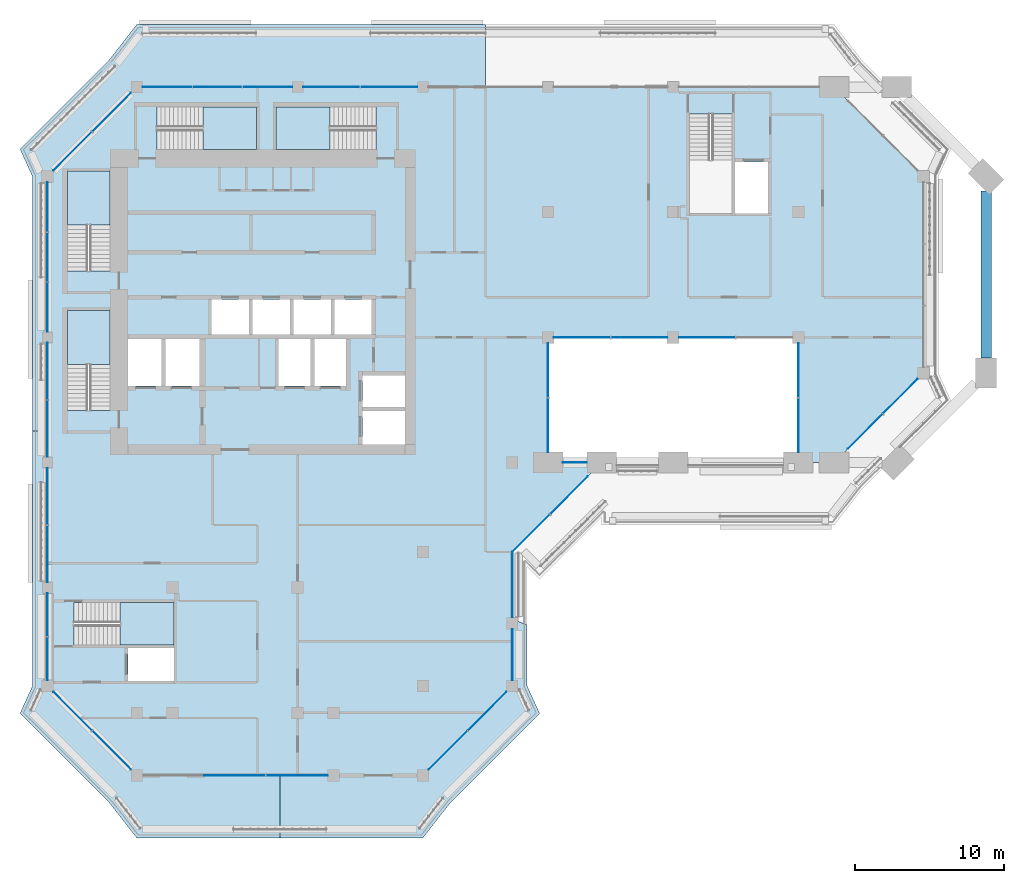
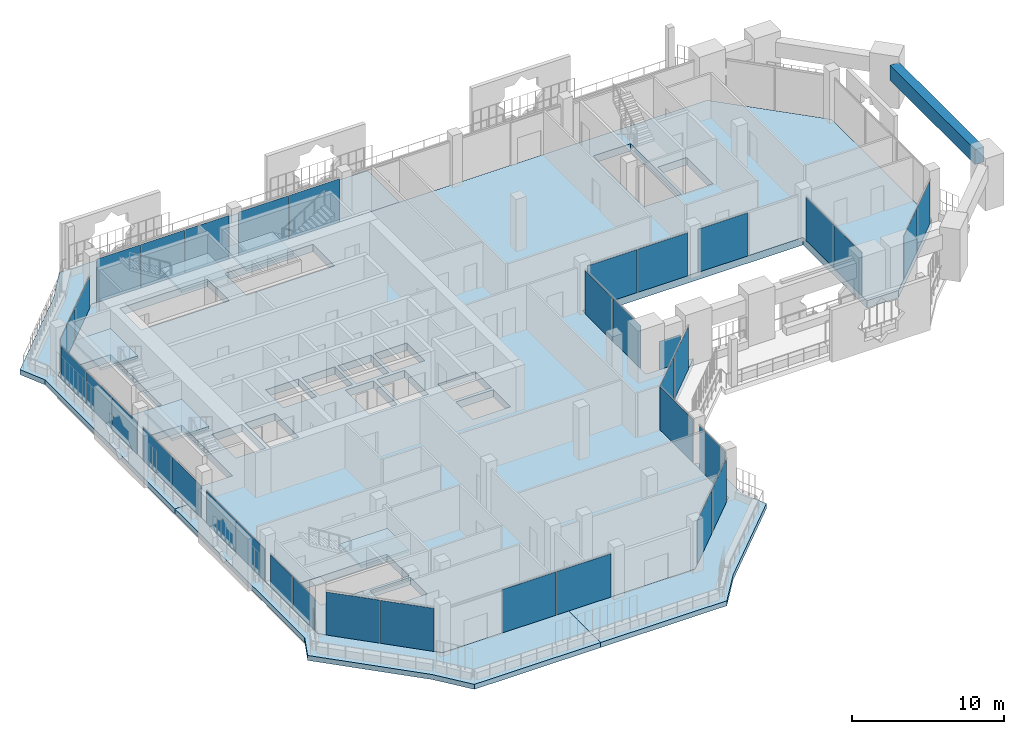
# One storey, part 8 of 22: 36 plates, 9 slabs, 1 beam, 18 elements without a shape of their own.
"""IFC4 building model written with IfcOpenShell, lengths in metres."""

from ifc_helpers import new_model, si_unit, direction, frame, origin, origin_2d, place, context, subcontext, project, spatial, polyline, rectangle, outline, extrude, material, layer, layer_set, material_profile, profile_set, type_object, element, aggregate, save


model = new_model("IFC4")

# Units and contexts
model_context = context("Model", 3, precision=1e-05, world=origin(), true_north=direction((0.0, 1.0)))
body_context = subcontext(model_context, "Body", "Model", "MODEL_VIEW")
ifc_project = project(units=[si_unit("LENGTHUNIT", "METRE"), si_unit("AREAUNIT", "SQUARE_METRE"), si_unit("VOLUMEUNIT", "CUBIC_METRE"), si_unit("PLANEANGLEUNIT", "RADIAN"), si_unit("MASSUNIT", "GRAM", prefix="KILO")], contexts=[model_context])

# Site, building, storey
site_placement = place(None, origin())
site = spatial("IfcSite", under=ifc_project, at=site_placement, CompositionType="ELEMENT")
building_placement = place(site_placement, origin())
building = spatial("IfcBuilding", under=site, at=building_placement, Name="Kawkab Arch Medical Tower", CompositionType="ELEMENT")
storey_placement = place(building_placement, frame((0.0, 0.0, 286.0)))
storey = spatial("IfcBuildingStorey", under=building, at=storey_placement, Name="L66", CompositionType="ELEMENT", Elevation=286.0)

# Beam
ifc_material_1 = material(Name="Concrete C40/50", Category="concrete")
ifc_material_profile = material_profile(ifc_material_1, rectangle(XDim=0.699951171875, YDim=1.199951171875, at=origin_2d()), Name="RC 700x1200")
ifc_profile_set = profile_set([ifc_material_profile], Name="Concrete C40/50")
beam_type = type_object("IfcBeamType", Name="RC 700x1200 beam C40/50", PredefinedType="BEAM", material=ifc_profile_set)
beam_placement = place(storey_placement, frame((63.0, -6.989990234375, 3.0), z_axis=(0.0, -1.0, 0.0), x_axis=(1.0, 0.0, 0.0)))
element("IfcBeam", 1, at=beam_placement, inside=storey, type_object=beam_type, Name="Terrace frame beam TF-L64-2-L67-03", PredefinedType="BEAM", context=body_context, shape_type="SweptSolid", body=[
    extrude(rectangle(XDim=0.699951171875, YDim=1.199951171875, at=origin_2d()), origin(), (0.0, 0.0, 1.0), 11.2099609375),
])

# Curtain wall, plates
ifc_material_2 = material(Name="Bronze anodised aluminium curtain wall frame", Category="aluminium")
ifc_layer_1 = layer(ifc_material_2, 0.159912109375)
ifc_layer_set_1 = layer_set([ifc_layer_1], Name="Bronze anodised aluminium curtain wall frame")
curtain_wall_type_1 = type_object("IfcCurtainWallType", Name="CW1 ward curtain wall", PredefinedType="NOTDEFINED", material=ifc_layer_set_1)
placement_1 = place(storey_placement, origin())
curtain_wall_1 = element("IfcCurtainWall", 2, at=placement_1, inside=storey, type_object=curtain_wall_type_1, Name="CW1 Ward curtain wall R10", PredefinedType="NOTDEFINED")
ifc_material_3 = material(Name="Tinted insulating glass, bronze low-e coating", Category="glass")
ifc_layer_2 = layer(ifc_material_3, 0.031982421875)
ifc_layer_set_2 = layer_set([ifc_layer_2], Name="Tinted insulating glass, bronze low-e coating")
plate_type_1 = type_object("IfcPlateType", Name="CW1 glazing unit 32", PredefinedType="CURTAIN_PANEL", material=ifc_layer_set_2)
plate_1_placement = place(storey_placement, frame((22.927490234375, 0.0, 0.0), z_axis=(0.0, 0.0, 1.0), x_axis=(-1.0, 0.0, 0.0)))
plate_1 = element("IfcPlate", 3, at=plate_1_placement, type_object=plate_type_1, Name="CW1 glazing unit 4.1", PredefinedType="CURTAIN_PANEL", context=body_context, shape_type="SweptSolid", body=[
    extrude(rectangle(XDim=3.794921875, YDim=0.031982421875, at=origin_2d()), origin(), (0.0, 0.0, 1.0), 3.47998046875),
])
plate_2_placement = place(storey_placement, frame((19.072509765625, 0.0, 0.0), z_axis=(0.0, 0.0, 1.0), x_axis=(-1.0, 0.0, 0.0)))
plate_2 = element("IfcPlate", 4, at=plate_2_placement, type_object=plate_type_1, Name="CW1 glazing unit 4.2", PredefinedType="CURTAIN_PANEL", context=body_context, shape_type="SweptSolid", body=[
    extrude(rectangle(XDim=3.794921875, YDim=0.031982421875, at=origin_2d()), origin(), (0.0, 0.0, 1.0), 3.47998046875),
])
plate_3_placement = place(storey_placement, frame((14.769287109375, 0.0, 0.0), z_axis=(0.0, 0.0, 1.0), x_axis=(-1.0, 0.0, 0.0)))
plate_3 = element("IfcPlate", 5, at=plate_3_placement, type_object=plate_type_1, Name="CW1 glazing unit 5.1", PredefinedType="CURTAIN_PANEL", context=body_context, shape_type="SweptSolid", body=[
    extrude(rectangle(XDim=3.311767578125, YDim=0.031982421875, at=origin_2d()), origin(), (0.0, 0.0, 1.0), 3.47998046875),
])
plate_4_placement = place(storey_placement, frame((11.41259765625, 0.0, 0.0), z_axis=(0.0, 0.0, 1.0), x_axis=(-1.0, 0.0, 0.0)))
plate_4 = element("IfcPlate", 6, at=plate_4_placement, type_object=plate_type_1, Name="CW1 glazing unit 5.2", PredefinedType="CURTAIN_PANEL", context=body_context, shape_type="SweptSolid", body=[
    extrude(rectangle(XDim=3.28173828125, YDim=0.031982421875, at=origin_2d()), origin(), (0.0, 0.0, 1.0), 3.47998046875),
])
plate_5_placement = place(storey_placement, frame((8.055908203125, 0.0, 0.0), z_axis=(0.0, 0.0, 1.0), x_axis=(-1.0, 0.0, 0.0)))
plate_5 = element("IfcPlate", 7, at=plate_5_placement, type_object=plate_type_1, Name="CW1 glazing unit 5.3", PredefinedType="CURTAIN_PANEL", context=body_context, shape_type="SweptSolid", body=[
    extrude(rectangle(XDim=3.311767578125, YDim=0.031982421875, at=origin_2d()), origin(), (0.0, 0.0, 1.0), 3.47998046875),
])
aggregate(curtain_wall_1, [plate_1, plate_2, plate_3, plate_4, plate_5])

curtain_wall_2 = element("IfcCurtainWall", 8, at=placement_1, inside=storey, type_object=curtain_wall_type_1, Name="CW1 Ward curtain wall R12", PredefinedType="NOTDEFINED")
plate_6_placement = place(storey_placement, frame((0.0, -8.055908203125, 0.0), z_axis=(0.0, 0.0, 1.0), x_axis=(0.0, -1.0, 0.0)))
plate_6 = element("IfcPlate", 9, at=plate_6_placement, type_object=plate_type_1, Name="CW1 glazing unit 1.1", PredefinedType="CURTAIN_PANEL", context=body_context, shape_type="SweptSolid", body=[
    extrude(rectangle(XDim=3.311767578125, YDim=0.031982421875, at=origin_2d()), origin(), (0.0, 0.0, 1.0), 2.580078125),
])
plate_7_placement = place(storey_placement, frame((0.0, -11.41259765625, 0.0), z_axis=(0.0, 0.0, 1.0), x_axis=(0.0, -1.0, 0.0)))
plate_7 = element("IfcPlate", 10, at=plate_7_placement, type_object=plate_type_1, Name="CW1 glazing unit 1.2", PredefinedType="CURTAIN_PANEL", context=body_context, shape_type="SweptSolid", body=[
    extrude(rectangle(XDim=3.28173828125, YDim=0.031982421875, at=origin_2d()), origin(), (0.0, 0.0, 1.0), 2.580078125),
])
plate_8_placement = place(storey_placement, frame((0.0, -14.769287109375, 0.0), z_axis=(0.0, 0.0, 1.0), x_axis=(0.0, -1.0, 0.0)))
plate_8 = element("IfcPlate", 11, at=plate_8_placement, type_object=plate_type_1, Name="CW1 glazing unit 1.3", PredefinedType="CURTAIN_PANEL", context=body_context, shape_type="SweptSolid", body=[
    extrude(rectangle(XDim=3.311767578125, YDim=0.031982421875, at=origin_2d()), origin(), (0.0, 0.0, 1.0), 2.580078125),
])
plate_9_placement = place(storey_placement, frame((0.0, -19.072509765625, 0.0), z_axis=(0.0, 0.0, 1.0), x_axis=(0.0, -1.0, 0.0)))
plate_9 = element("IfcPlate", 12, at=plate_9_placement, type_object=plate_type_1, Name="CW1 glazing unit 2.1", PredefinedType="CURTAIN_PANEL", context=body_context, shape_type="SweptSolid", body=[
    extrude(rectangle(XDim=3.794921875, YDim=0.031982421875, at=origin_2d()), origin(), (0.0, 0.0, 1.0), 2.580078125),
])
plate_10_placement = place(storey_placement, frame((0.0, -22.927490234375, 0.0), z_axis=(0.0, 0.0, 1.0), x_axis=(0.0, -1.0, 0.0)))
plate_10 = element("IfcPlate", 13, at=plate_10_placement, type_object=plate_type_1, Name="CW1 glazing unit 2.2", PredefinedType="CURTAIN_PANEL", context=body_context, shape_type="SweptSolid", body=[
    extrude(rectangle(XDim=3.794921875, YDim=0.031982421875, at=origin_2d()), origin(), (0.0, 0.0, 1.0), 2.580078125),
])
plate_11_placement = place(storey_placement, frame((0.0, -27.472412109375, 0.0), z_axis=(0.0, 0.0, 1.0), x_axis=(0.0, -1.0, 0.0)))
plate_11 = element("IfcPlate", 14, at=plate_11_placement, type_object=plate_type_1, Name="CW1 glazing unit 3.1", PredefinedType="CURTAIN_PANEL", context=body_context, shape_type="SweptSolid", body=[
    extrude(rectangle(XDim=3.794921875, YDim=0.031982421875, at=origin_2d()), origin(), (0.0, 0.0, 1.0), 2.580078125),
])
plate_12_placement = place(storey_placement, frame((0.0, -31.327392578125, 0.0), z_axis=(0.0, 0.0, 1.0), x_axis=(0.0, -1.0, 0.0)))
plate_12 = element("IfcPlate", 15, at=plate_12_placement, type_object=plate_type_1, Name="CW1 glazing unit 3.2", PredefinedType="CURTAIN_PANEL", context=body_context, shape_type="SweptSolid", body=[
    extrude(rectangle(XDim=3.794921875, YDim=0.031982421875, at=origin_2d()), origin(), (0.0, 0.0, 1.0), 2.580078125),
])
plate_13_placement = place(storey_placement, frame((0.0, -35.416259765625, 0.0), z_axis=(0.0, 0.0, 1.0), x_axis=(0.0, -1.0, 0.0)))
plate_13 = element("IfcPlate", 16, at=plate_13_placement, type_object=plate_type_1, Name="CW1 glazing unit 4.1", PredefinedType="CURTAIN_PANEL", context=body_context, shape_type="SweptSolid", body=[
    extrude(rectangle(XDim=2.882568359375, YDim=0.031982421875, at=origin_2d()), origin(), (0.0, 0.0, 1.0), 2.580078125),
])
plate_14_placement = place(storey_placement, frame((0.0, -38.358642578125, 0.0), z_axis=(0.0, 0.0, 1.0), x_axis=(0.0, -1.0, 0.0)))
plate_14 = element("IfcPlate", 17, at=plate_14_placement, type_object=plate_type_1, Name="CW1 glazing unit 4.2", PredefinedType="CURTAIN_PANEL", context=body_context, shape_type="SweptSolid", body=[
    extrude(rectangle(XDim=2.882568359375, YDim=0.031982421875, at=origin_2d()), origin(), (0.0, 0.0, 1.0), 2.580078125),
])
aggregate(curtain_wall_2, [plate_6, plate_7, plate_8, plate_9, plate_10, plate_11, plate_12, plate_13, plate_14])

curtain_wall_3 = element("IfcCurtainWall", 18, at=placement_1, inside=storey, type_object=curtain_wall_type_1, Name="CW1 Ward curtain wall R14", PredefinedType="NOTDEFINED")
plate_15_placement = place(storey_placement, frame((12.5849609375, -46.199951171875, 0.0), z_axis=(0.0, 0.0, 1.0), x_axis=(1.0, 0.0, 0.0)))
plate_15 = element("IfcPlate", 19, at=plate_15_placement, type_object=plate_type_1, Name="CW1 glazing unit 1.2", PredefinedType="CURTAIN_PANEL", context=body_context, shape_type="SweptSolid", body=[
    extrude(rectangle(XDim=4.103271484375, YDim=0.031982421875, at=origin_2d()), origin(), (0.0, 0.0, 1.0), 3.47998046875),
])
plate_16_placement = place(storey_placement, frame((16.748291015625, -46.199951171875, 0.0), z_axis=(0.0, 0.0, 1.0), x_axis=(1.0, 0.0, 0.0)))
plate_16 = element("IfcPlate", 20, at=plate_16_placement, type_object=plate_type_1, Name="CW1 glazing unit 1.3", PredefinedType="CURTAIN_PANEL", context=body_context, shape_type="SweptSolid", body=[
    extrude(rectangle(XDim=4.103271484375, YDim=0.031982421875, at=origin_2d()), origin(), (0.0, 0.0, 1.0), 3.47998046875),
])
aggregate(curtain_wall_3, [plate_15, plate_16])

curtain_wall_4 = element("IfcCurtainWall", 21, at=placement_1, inside=storey, type_object=curtain_wall_type_1, Name="CW1 Ward curtain wall R16", PredefinedType="NOTDEFINED")
plate_17_placement = place(storey_placement, frame((31.199951171875, -38.10009765625, 0.0), z_axis=(0.0, 0.0, 1.0), x_axis=(0.0, 1.0, 0.0)))
plate_17 = element("IfcPlate", 22, at=plate_17_placement, type_object=plate_type_1, Name="CW1 glazing unit 1.1", PredefinedType="CURTAIN_PANEL", context=body_context, shape_type="SweptSolid", body=[
    extrude(rectangle(XDim=3.39990234375, YDim=0.031982421875, at=origin_2d()), origin(), (0.0, 0.0, 1.0), 3.47998046875),
])
plate_18_placement = place(storey_placement, frame((31.199951171875, -33.39990234375, 0.0), z_axis=(0.0, 0.0, 1.0), x_axis=(0.0, 1.0, 0.0)))
plate_18 = element("IfcPlate", 23, at=plate_18_placement, type_object=plate_type_1, Name="CW1 glazing unit 2.1", PredefinedType="CURTAIN_PANEL", context=body_context, shape_type="SweptSolid", body=[
    extrude(rectangle(XDim=4.39990234375, YDim=0.031982421875, at=origin_2d()), origin(), (0.0, 0.0, 1.0), 3.47998046875),
])
aggregate(curtain_wall_4, [plate_17, plate_18])

ifc_material_4 = material(Name="Bronze anodised aluminium curtain wall frame", Category="aluminium")
ifc_layer_3 = layer(ifc_material_4, 0.159912109375)
ifc_layer_set_3 = layer_set([ifc_layer_3], Name="Bronze anodised aluminium curtain wall frame")
curtain_wall_type_2 = type_object("IfcCurtainWallType", Name="CW2 chamfer curtain wall", PredefinedType="NOTDEFINED", material=ifc_layer_set_3)
curtain_wall_5 = element("IfcCurtainWall", 24, at=placement_1, inside=storey, type_object=curtain_wall_type_2, Name="CW2 Chamfer curtain wall R01", PredefinedType="NOTDEFINED")
ifc_material_5 = material(Name="Tinted insulating glass, bronze low-e coating", Category="glass")
ifc_layer_4 = layer(ifc_material_5, 0.031982421875)
ifc_layer_set_4 = layer_set([ifc_layer_4], Name="Tinted insulating glass, bronze low-e coating")
plate_type_2 = type_object("IfcPlateType", Name="CW2 glazing unit 32", PredefinedType="CURTAIN_PANEL", material=ifc_layer_set_4)
plate_19_placement = place(storey_placement, frame((32.456787109375, -29.943115234375, 0.0), z_axis=(0.0, 0.0, 1.0), x_axis=(0.707106781187, 0.707106781187, 0.0)))
plate_19 = element("IfcPlate", 25, at=plate_19_placement, type_object=plate_type_2, Name="CW2 glazing unit 1.1", PredefinedType="CURTAIN_PANEL", context=body_context, shape_type="SweptSolid", body=[
    extrude(rectangle(XDim=3.5546875, YDim=0.031982421875, at=origin_2d()), origin(), (0.0, 0.0, 1.0), 3.4599609375),
])
plate_20_placement = place(storey_placement, frame((35.012939453125, -27.38720703125, 0.0), z_axis=(0.0, 0.0, 1.0), x_axis=(0.707106781187, 0.707106781187, 0.0)))
plate_20 = element("IfcPlate", 26, at=plate_20_placement, type_object=plate_type_2, Name="CW2 glazing unit 1.2", PredefinedType="CURTAIN_PANEL", context=body_context, shape_type="SweptSolid", body=[
    extrude(rectangle(XDim=3.5546875, YDim=0.031982421875, at=origin_2d()), origin(), (0.0, 0.0, 1.0), 3.4599609375),
])
aggregate(curtain_wall_5, [plate_19, plate_20])

curtain_wall_6 = element("IfcCurtainWall", 27, at=placement_1, inside=storey, type_object=curtain_wall_type_2, Name="CW2 Chamfer curtain wall R07", PredefinedType="NOTDEFINED")
plate_21_placement = place(storey_placement, frame((54.88720703125, -23.11279296875, 0.0), z_axis=(0.0, 0.0, 1.0), x_axis=(0.707106781187, 0.707106781187, 0.0)))
plate_21 = element("IfcPlate", 28, at=plate_21_placement, type_object=plate_type_2, Name="CW2 glazing unit 1.1", PredefinedType="CURTAIN_PANEL", context=body_context, shape_type="SweptSolid", body=[
    extrude(rectangle(XDim=3.27197265625, YDim=0.031982421875, at=origin_2d()), origin(), (0.0, 0.0, 1.0), 3.4599609375),
])
plate_22_placement = place(storey_placement, frame((57.2431640625, -20.7568359375, 0.0), z_axis=(0.0, 0.0, 1.0), x_axis=(0.707106781187, 0.707106781187, 0.0)))
plate_22 = element("IfcPlate", 29, at=plate_22_placement, type_object=plate_type_2, Name="CW2 glazing unit 1.2", PredefinedType="CURTAIN_PANEL", context=body_context, shape_type="SweptSolid", body=[
    extrude(rectangle(XDim=3.27197265625, YDim=0.031982421875, at=origin_2d()), origin(), (0.0, 0.0, 1.0), 3.4599609375),
])
aggregate(curtain_wall_6, [plate_21, plate_22])

curtain_wall_7 = element("IfcCurtainWall", 30, at=placement_1, inside=storey, type_object=curtain_wall_type_2, Name="CW2 Chamfer curtain wall R11", PredefinedType="NOTDEFINED")
plate_23_placement = place(storey_placement, frame((4.310546875, -1.689453125, 0.0), z_axis=(0.0, 0.0, 1.0), x_axis=(-0.707106781187, -0.707106781187, 0.0)))
plate_23 = element("IfcPlate", 31, at=plate_23_placement, type_object=plate_type_2, Name="CW2 glazing unit 1.1", PredefinedType="CURTAIN_PANEL", context=body_context, shape_type="SweptSolid", body=[
    extrude(rectangle(XDim=3.64697265625, YDim=0.031982421875, at=origin_2d()), origin(), (0.0, 0.0, 1.0), 2.56005859375),
])
plate_24_placement = place(storey_placement, frame((1.689453125, -4.310546875, 0.0), z_axis=(0.0, 0.0, 1.0), x_axis=(-0.707106781187, -0.707106781187, 0.0)))
plate_24 = element("IfcPlate", 32, at=plate_24_placement, type_object=plate_type_2, Name="CW2 glazing unit 1.2", PredefinedType="CURTAIN_PANEL", context=body_context, shape_type="SweptSolid", body=[
    extrude(rectangle(XDim=3.64697265625, YDim=0.031982421875, at=origin_2d()), origin(), (0.0, 0.0, 1.0), 2.56005859375),
])
aggregate(curtain_wall_7, [plate_23, plate_24])

curtain_wall_8 = element("IfcCurtainWall", 33, at=placement_1, inside=storey, type_object=curtain_wall_type_2, Name="CW2 Chamfer curtain wall R13", PredefinedType="NOTDEFINED")
plate_25_placement = place(storey_placement, frame((1.689453125, -41.889404296875, 0.0), z_axis=(0.0, 0.0, 1.0), x_axis=(0.707106781187, -0.707106781187, 0.0)))
plate_25 = element("IfcPlate", 34, at=plate_25_placement, type_object=plate_type_2, Name="CW2 glazing unit 1.1", PredefinedType="CURTAIN_PANEL", context=body_context, shape_type="SweptSolid", body=[
    extrude(rectangle(XDim=3.64697265625, YDim=0.031982421875, at=origin_2d()), origin(), (0.0, 0.0, 1.0), 3.4599609375),
])
plate_26_placement = place(storey_placement, frame((4.310546875, -44.510498046875, 0.0), z_axis=(0.0, 0.0, 1.0), x_axis=(0.707106781187, -0.707106781187, 0.0)))
plate_26 = element("IfcPlate", 35, at=plate_26_placement, type_object=plate_type_2, Name="CW2 glazing unit 1.2", PredefinedType="CURTAIN_PANEL", context=body_context, shape_type="SweptSolid", body=[
    extrude(rectangle(XDim=3.64697265625, YDim=0.031982421875, at=origin_2d()), origin(), (0.0, 0.0, 1.0), 3.4599609375),
])
aggregate(curtain_wall_8, [plate_25, plate_26])

curtain_wall_9 = element("IfcCurtainWall", 36, at=placement_1, inside=storey, type_object=curtain_wall_type_2, Name="CW2 Chamfer curtain wall R15", PredefinedType="NOTDEFINED")
plate_27_placement = place(storey_placement, frame((26.889404296875, -44.510498046875, 0.0), z_axis=(0.0, 0.0, 1.0), x_axis=(0.707106781187, 0.707106781187, 0.0)))
plate_27 = element("IfcPlate", 37, at=plate_27_placement, type_object=plate_type_2, Name="CW2 glazing unit 1.1", PredefinedType="CURTAIN_PANEL", context=body_context, shape_type="SweptSolid", body=[
    extrude(rectangle(XDim=3.64697265625, YDim=0.031982421875, at=origin_2d()), origin(), (0.0, 0.0, 1.0), 3.4599609375),
])
plate_28_placement = place(storey_placement, frame((29.510498046875, -41.889404296875, 0.0), z_axis=(0.0, 0.0, 1.0), x_axis=(0.707106781187, 0.707106781187, 0.0)))
plate_28 = element("IfcPlate", 38, at=plate_28_placement, type_object=plate_type_2, Name="CW2 glazing unit 1.2", PredefinedType="CURTAIN_PANEL", context=body_context, shape_type="SweptSolid", body=[
    extrude(rectangle(XDim=3.64697265625, YDim=0.031982421875, at=origin_2d()), origin(), (0.0, 0.0, 1.0), 3.4599609375),
])
aggregate(curtain_wall_9, [plate_27, plate_28])

# Curtain wall, plate
ifc_material_6 = material(Name="Bronze anodised aluminium curtain wall frame", Category="aluminium")
ifc_layer_5 = layer(ifc_material_6, 0.159912109375)
ifc_layer_set_5 = layer_set([ifc_layer_5], Name="Bronze anodised aluminium curtain wall frame")
curtain_wall_type_3 = type_object("IfcCurtainWallType", Name="CW3 sky garden curtain wall", PredefinedType="NOTDEFINED", material=ifc_layer_set_5)
curtain_wall_10 = element("IfcCurtainWall", 39, at=placement_1, inside=storey, type_object=curtain_wall_type_3, Name="CW3 Sky garden curtain wall R02", PredefinedType="NOTDEFINED")
ifc_material_7 = material(Name="Tinted laminated insulating glass, grey-green", Category="glass")
ifc_layer_6 = layer(ifc_material_7, 0.035888671875)
ifc_layer_set_6 = layer_set([ifc_layer_6], Name="Tinted laminated insulating glass, grey-green")
plate_type_3 = type_object("IfcPlateType", Name="CW3 glazing unit 36", PredefinedType="CURTAIN_PANEL", material=ifc_layer_set_6)
plate_29_placement = place(storey_placement, frame((35.39990234375, -25.199951171875, 0.0), z_axis=(0.0, 0.0, 1.0), x_axis=(-1.0, 0.0, 0.0)))
plate_29 = element("IfcPlate", 40, at=plate_29_placement, type_object=plate_type_3, Name="CW3 glazing unit 1.1", PredefinedType="CURTAIN_PANEL", context=body_context, shape_type="SweptSolid", body=[
    extrude(rectangle(XDim=1.60009765625, YDim=0.035888671875, at=origin_2d()), origin(), (0.0, 0.0, 1.0), 2.260009765625),
])
aggregate(curtain_wall_10, [plate_29])

# Curtain wall, plates
curtain_wall_11 = element("IfcCurtainWall", 41, at=placement_1, inside=storey, type_object=curtain_wall_type_3, Name="CW3 Sky garden curtain wall R03", PredefinedType="NOTDEFINED")
plate_30_placement = place(storey_placement, frame((33.60009765625, -22.6923828125, 0.0), z_axis=(0.0, 0.0, 1.0), x_axis=(0.0, 1.0, 0.0)))
plate_30 = element("IfcPlate", 42, at=plate_30_placement, type_object=plate_type_3, Name="CW3 glazing unit 1.1", PredefinedType="CURTAIN_PANEL", context=body_context, shape_type="SweptSolid", body=[
    extrude(rectangle(XDim=3.614990234375, YDim=0.035888671875, at=origin_2d()), origin(), (0.0, 0.0, 1.0), 3.4599609375),
])
plate_31_placement = place(storey_placement, frame((33.60009765625, -19.007568359375, 0.0), z_axis=(0.0, 0.0, 1.0), x_axis=(0.0, 1.0, 0.0)))
plate_31 = element("IfcPlate", 43, at=plate_31_placement, type_object=plate_type_3, Name="CW3 glazing unit 1.2", PredefinedType="CURTAIN_PANEL", context=body_context, shape_type="SweptSolid", body=[
    extrude(rectangle(XDim=3.614990234375, YDim=0.035888671875, at=origin_2d()), origin(), (0.0, 0.0, 1.0), 3.4599609375),
])
aggregate(curtain_wall_11, [plate_30, plate_31])

curtain_wall_12 = element("IfcCurtainWall", 44, at=placement_1, inside=storey, type_object=curtain_wall_type_3, Name="CW3 Sky garden curtain wall R04", PredefinedType="NOTDEFINED")
plate_32_placement = place(storey_placement, frame((35.882568359375, -16.800048828125, 0.0), z_axis=(0.0, 0.0, 1.0), x_axis=(1.0, 0.0, 0.0)))
plate_32 = element("IfcPlate", 45, at=plate_32_placement, type_object=plate_type_3, Name="CW3 glazing unit 1.1", PredefinedType="CURTAIN_PANEL", context=body_context, shape_type="SweptSolid", body=[
    extrude(rectangle(XDim=3.764892578125, YDim=0.035888671875, at=origin_2d()), origin(), (0.0, 0.0, 1.0), 3.4599609375),
])
plate_33_placement = place(storey_placement, frame((39.717529296875, -16.800048828125, 0.0), z_axis=(0.0, 0.0, 1.0), x_axis=(1.0, 0.0, 0.0)))
plate_33 = element("IfcPlate", 46, at=plate_33_placement, type_object=plate_type_3, Name="CW3 glazing unit 1.2", PredefinedType="CURTAIN_PANEL", context=body_context, shape_type="SweptSolid", body=[
    extrude(rectangle(XDim=3.764892578125, YDim=0.035888671875, at=origin_2d()), origin(), (0.0, 0.0, 1.0), 3.4599609375),
])
plate_34_placement = place(storey_placement, frame((44.282470703125, -16.800048828125, 0.0), z_axis=(0.0, 0.0, 1.0), x_axis=(1.0, 0.0, 0.0)))
plate_34 = element("IfcPlate", 47, at=plate_34_placement, type_object=plate_type_3, Name="CW3 glazing unit 2.1", PredefinedType="CURTAIN_PANEL", context=body_context, shape_type="SweptSolid", body=[
    extrude(rectangle(XDim=3.764892578125, YDim=0.035888671875, at=origin_2d()), origin(), (0.0, 0.0, 1.0), 3.4599609375),
])
aggregate(curtain_wall_12, [plate_32, plate_33, plate_34])

curtain_wall_13 = element("IfcCurtainWall", 48, at=placement_1, inside=storey, type_object=curtain_wall_type_3, Name="CW3 Sky garden curtain wall R05", PredefinedType="NOTDEFINED")
plate_35_placement = place(storey_placement, frame((50.39990234375, -19.007568359375, 0.0), z_axis=(0.0, 0.0, 1.0), x_axis=(0.0, -1.0, 0.0)))
plate_35 = element("IfcPlate", 49, at=plate_35_placement, type_object=plate_type_3, Name="CW3 glazing unit 1.1", PredefinedType="CURTAIN_PANEL", context=body_context, shape_type="SweptSolid", body=[
    extrude(rectangle(XDim=3.614990234375, YDim=0.035888671875, at=origin_2d()), origin(), (0.0, 0.0, 1.0), 3.4599609375),
])
plate_36_placement = place(storey_placement, frame((50.39990234375, -22.6923828125, 0.0), z_axis=(0.0, 0.0, 1.0), x_axis=(0.0, -1.0, 0.0)))
plate_36 = element("IfcPlate", 50, at=plate_36_placement, type_object=plate_type_3, Name="CW3 glazing unit 1.2", PredefinedType="CURTAIN_PANEL", context=body_context, shape_type="SweptSolid", body=[
    extrude(rectangle(XDim=3.614990234375, YDim=0.035888671875, at=origin_2d()), origin(), (0.0, 0.0, 1.0), 3.4599609375),
])
aggregate(curtain_wall_13, [plate_35, plate_36])

# Stair, slab
ifc_material_8 = material(Name="Concrete C40/50", Category="concrete")
stair_type = type_object("IfcStairType", Name="Exit stair 1350", PredefinedType="HALF_TURN_STAIR", material=ifc_material_8)
stair_1 = element("IfcStair", 51, at=placement_1, inside=storey, type_object=stair_type, Name="L66 Exit stair ST1", PredefinedType="HALF_TURN_STAIR")
ifc_material_9 = material(Name="Concrete C40/50", Category="concrete")
ifc_layer_7 = layer(ifc_material_9, 0.199951171875)
ifc_layer_set_7 = layer_set([ifc_layer_7], Name="Concrete C40/50")
slab_type_1 = type_object("IfcSlabType", Name="Exit stair landing 200", PredefinedType="LANDING", material=ifc_layer_set_7)
placement_2 = place(storey_placement, frame((0.0, 0.0, 1.89990234375)))
slab_1 = element("IfcSlab", 52, at=placement_2, type_object=slab_type_1, Name="ST1 landing 1", PredefinedType="LANDING", context=body_context, shape_type="SweptSolid", body=[
    extrude(outline(polyline([(4.199951171875, -9.27001953125), (4.199951171875, -5.64990234375), (1.35009765625, -5.64990234375), (1.35009765625, -9.27001953125), (4.199951171875, -9.27001953125)])), origin(), (0.0, 0.0, 1.0), 0.2001953125),
])
aggregate(stair_1, [slab_1])

stair_2 = element("IfcStair", 53, at=placement_1, inside=storey, type_object=stair_type, Name="L66 Exit stair ST2", PredefinedType="HALF_TURN_STAIR")
slab_2 = element("IfcSlab", 54, at=placement_2, type_object=slab_type_1, Name="ST2 landing 1", PredefinedType="LANDING", context=body_context, shape_type="SweptSolid", body=[
    extrude(outline(polyline([(4.199951171875, -18.6201171875), (4.199951171875, -15.0), (1.35009765625, -15.0), (1.35009765625, -18.6201171875), (4.199951171875, -18.6201171875)])), origin(), (0.0, 0.0, 1.0), 0.2001953125),
])
aggregate(stair_2, [slab_2])

stair_3 = element("IfcStair", 55, at=placement_1, inside=storey, type_object=stair_type, Name="L66 Exit stair ST3", PredefinedType="HALF_TURN_STAIR")
slab_3 = element("IfcSlab", 56, at=placement_2, type_object=slab_type_1, Name="ST3 landing 1", PredefinedType="LANDING", context=body_context, shape_type="SweptSolid", body=[
    extrude(outline(polyline([(10.429931640625, -4.199951171875), (14.050048828125, -4.199951171875), (14.050048828125, -1.35009765625), (10.429931640625, -1.35009765625), (10.429931640625, -4.199951171875)])), origin(), (0.0, 0.0, 1.0), 0.2001953125),
])
aggregate(stair_3, [slab_3])

stair_4 = element("IfcStair", 57, at=placement_1, inside=storey, type_object=stair_type, Name="L66 Exit stair ST4", PredefinedType="HALF_TURN_STAIR")
slab_4 = element("IfcSlab", 58, at=placement_2, type_object=slab_type_1, Name="ST4 landing 1", PredefinedType="LANDING", context=body_context, shape_type="SweptSolid", body=[
    extrude(outline(polyline([(18.969970703125, -1.35009765625), (15.35009765625, -1.35009765625), (15.35009765625, -4.199951171875), (18.969970703125, -4.199951171875), (18.969970703125, -1.35009765625)])), origin(), (0.0, 0.0, 1.0), 0.2001953125),
])
aggregate(stair_4, [slab_4])

stair_5 = element("IfcStair", 59, at=placement_1, inside=storey, type_object=stair_type, Name="L66 Exit stair ST6", PredefinedType="HALF_TURN_STAIR")
slab_5 = element("IfcSlab", 60, at=placement_2, type_object=slab_type_1, Name="ST6 landing 1", PredefinedType="LANDING", context=body_context, shape_type="SweptSolid", body=[
    extrude(outline(polyline([(4.8798828125, -37.449951171875), (8.5, -37.449951171875), (8.5, -34.60009765625), (4.8798828125, -34.60009765625), (4.8798828125, -37.449951171875)])), origin(), (0.0, 0.0, 1.0), 0.2001953125),
])
aggregate(stair_5, [slab_5])

# Slabs
ifc_material_10 = material(Name="Concrete C45/55", Category="concrete")
ifc_layer_8 = layer(ifc_material_10, 0.60009765625)
ifc_layer_set_8 = layer_set([ifc_layer_8], Name="Concrete C45/55")
slab_type_2 = type_object("IfcSlabType", Name="Flat plate 600 C45/55", PredefinedType="FLOOR", material=ifc_layer_set_8)
slab_6_placement = place(storey_placement, frame((0.0, 0.0, -0.60009765625)))
element("IfcSlab", 61, at=slab_6_placement, inside=storey, type_object=slab_type_2, Name="Floor slab L66", PredefinedType="FLOOR", context=body_context, shape_type="SweptSolid", body=[
    extrude(outline(polyline([(31.199951171875, -40.199951171875), (25.199951171875, -46.199951171875), (6.0, -46.199951171875), (0.0, -40.199951171875), (0.0, -6.0), (6.0, 0.0), (52.800048828125, 0.0), (58.800048828125, -6.0), (58.800048828125, -19.199951171875), (52.800048828125, -25.199951171875), (50.39990234375, -25.199951171875), (50.39990234375, -16.800048828125), (33.60009765625, -16.800048828125), (33.60009765625, -25.199951171875), (37.199951171875, -25.199951171875), (31.199951171875, -31.199951171875), (31.199951171875, -40.199951171875)]), holes=[polyline([(5.425048828125, -37.64990234375), (5.425048828125, -39.85009765625), (8.5, -39.85009765625), (8.5, -37.64990234375), (5.425048828125, -37.64990234375)]), polyline([(8.5, -37.449951171875), (8.5, -34.60009765625), (1.800048828125, -34.60009765625), (1.800048828125, -37.449951171875), (8.5, -37.449951171875)]), polyline([(5.39990234375, -20.050048828125), (7.675048828125, -20.050048828125), (7.675048828125, -16.89990234375), (5.39990234375, -16.89990234375), (5.39990234375, -20.050048828125)]), polyline([(10.199951171875, -16.89990234375), (7.925048828125, -16.89990234375), (7.925048828125, -20.050048828125), (10.199951171875, -20.050048828125), (10.199951171875, -16.89990234375)]), polyline([(4.199951171875, -15.0), (1.35009765625, -15.0), (1.35009765625, -21.699951171875), (4.199951171875, -21.699951171875), (4.199951171875, -15.0)]), polyline([(13.52490234375, -14.25), (11.0, -14.25), (11.0, -16.60009765625), (13.52490234375, -16.60009765625), (13.52490234375, -14.25)]), polyline([(13.77490234375, -16.60009765625), (16.27490234375, -16.60009765625), (16.27490234375, -14.25), (13.77490234375, -14.25), (13.77490234375, -16.60009765625)]), polyline([(4.199951171875, -12.35009765625), (4.199951171875, -5.64990234375), (1.35009765625, -5.64990234375), (1.35009765625, -12.35009765625), (4.199951171875, -12.35009765625)]), polyline([(7.35009765625, -4.199951171875), (14.050048828125, -4.199951171875), (14.050048828125, -1.35009765625), (7.35009765625, -1.35009765625), (7.35009765625, -4.199951171875)]), polyline([(24.0, -21.72509765625), (21.14990234375, -21.72509765625), (21.14990234375, -24.0), (24.0, -24.0), (24.0, -21.72509765625)]), polyline([(24.0, -19.35009765625), (21.14990234375, -19.35009765625), (21.14990234375, -21.47509765625), (24.0, -21.47509765625), (24.0, -19.35009765625)]), polyline([(15.52490234375, -20.050048828125), (17.675048828125, -20.050048828125), (17.675048828125, -16.89990234375), (15.52490234375, -16.89990234375), (15.52490234375, -20.050048828125)]), polyline([(17.925048828125, -20.050048828125), (20.050048828125, -20.050048828125), (20.050048828125, -16.89990234375), (17.925048828125, -16.89990234375), (17.925048828125, -20.050048828125)]), polyline([(16.52490234375, -14.25), (16.52490234375, -16.60009765625), (19.02490234375, -16.60009765625), (19.02490234375, -14.25), (16.52490234375, -14.25)]), polyline([(19.27490234375, -14.25), (19.27490234375, -16.60009765625), (21.75, -16.60009765625), (21.75, -14.25), (19.27490234375, -14.25)]), polyline([(46.14990234375, -8.5), (48.35009765625, -8.5), (48.35009765625, -5.02490234375), (46.14990234375, -5.02490234375), (46.14990234375, -8.5)]), polyline([(43.10009765625, -1.800048828125), (43.10009765625, -8.5), (45.949951171875, -8.5), (45.949951171875, -1.800048828125), (43.10009765625, -1.800048828125)]), polyline([(22.050048828125, -1.35009765625), (15.35009765625, -1.35009765625), (15.35009765625, -4.199951171875), (22.050048828125, -4.199951171875), (22.050048828125, -1.35009765625)])]), origin(), (0.0, 0.0, 1.0), 0.60009765625),
])
ifc_material_11 = material(Name="Concrete C40/50", Category="concrete")
ifc_layer_9 = layer(ifc_material_11, 0.39990234375)
ifc_layer_set_9 = layer_set([ifc_layer_9], Name="Concrete C40/50")
slab_type_3 = type_object("IfcSlabType", Name="Loggia slab 400", PredefinedType="FLOOR", material=ifc_layer_set_9)
placement_3 = place(storey_placement, frame((0.0, 0.0, -0.39990234375)))
element("IfcSlab", 62, at=placement_3, inside=storey, type_object=slab_type_3, Name="Loggia slab L66.1", PredefinedType="FLOOR", context=body_context, shape_type="SweptSolid", body=[
    extrude(outline(polyline([(33.0380859375, -42.0380859375), (27.0380859375, -48.0380859375), (25.199951171875, -50.39990234375), (15.60009765625, -50.39990234375), (15.60009765625, -46.200927734375), (25.199951171875, -46.200927734375), (25.199951171875, -46.199951171875), (31.199951171875, -40.199951171875), (31.199951171875, -35.700927734375), (32.199951171875, -36.10009765625), (32.199951171875, -40.199951171875), (33.0380859375, -42.0380859375)])), origin(), (0.0, 0.0, 1.0), 0.39990234375),
])
element("IfcSlab", 63, at=placement_3, inside=storey, type_object=slab_type_3, Name="Loggia slab L66.2", PredefinedType="FLOOR", context=body_context, shape_type="SweptSolid", body=[
    extrude(outline(polyline([(-1.837890625, -42.0380859375), (-1.0, -40.199951171875), (-1.0, -23.10009765625), (-0.0009765625, -23.10009765625), (-0.0009765625, -40.199951171875), (0.0, -40.199951171875), (6.0, -46.199951171875), (6.0, -46.200927734375), (15.60009765625, -46.200927734375), (15.60009765625, -50.39990234375), (6.0, -50.39990234375), (4.162109375, -48.0380859375), (-1.837890625, -42.0380859375)])), origin(), (0.0, 0.0, 1.0), 0.39990234375),
])
element("IfcSlab", 64, at=placement_3, inside=storey, type_object=slab_type_3, Name="Loggia slab L66.5", PredefinedType="FLOOR", context=body_context, shape_type="SweptSolid", body=[
    extrude(outline(polyline([(-1.837890625, -4.162109375), (4.162109375, 1.837890625), (6.0, 4.199951171875), (29.39990234375, 4.199951171875), (29.39990234375, 0.0009765625), (6.0, 0.0009765625), (6.0, 0.0), (0.0, -6.0), (-0.0009765625, -6.0), (-0.0009765625, -23.10009765625), (-1.0, -23.10009765625), (-1.0, -6.0), (-1.837890625, -4.162109375)])), origin(), (0.0, 0.0, 1.0), 0.39990234375),
])

save(model, "model.ifc")
